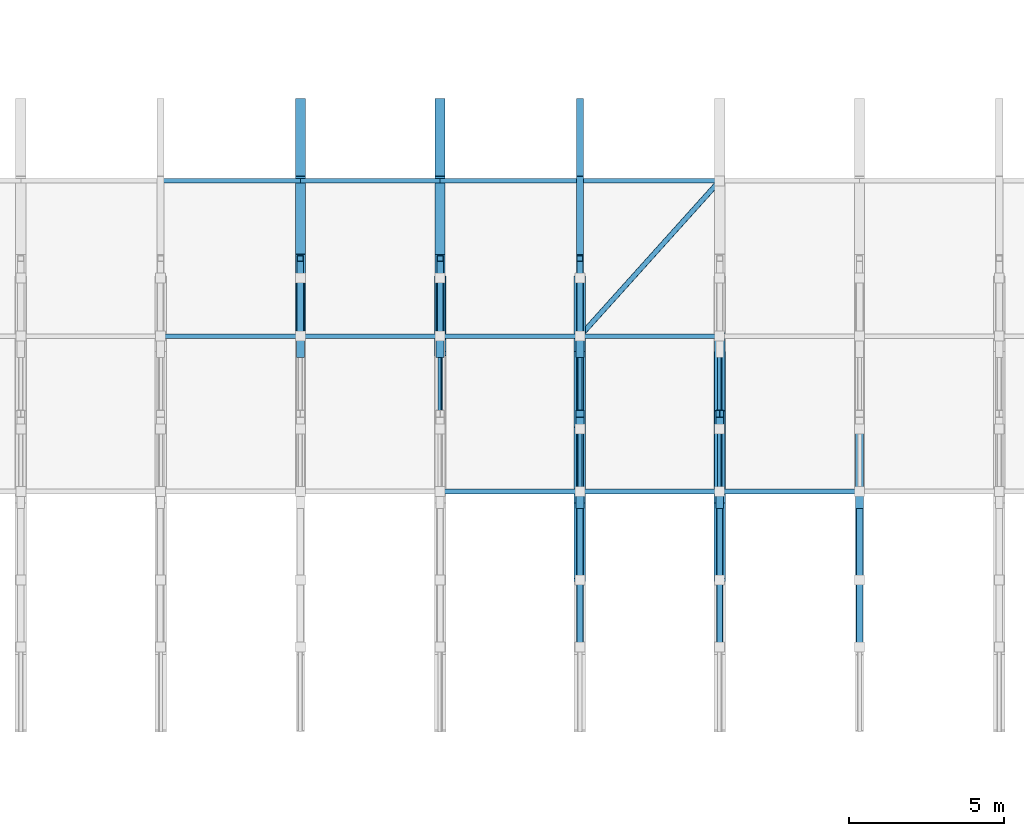
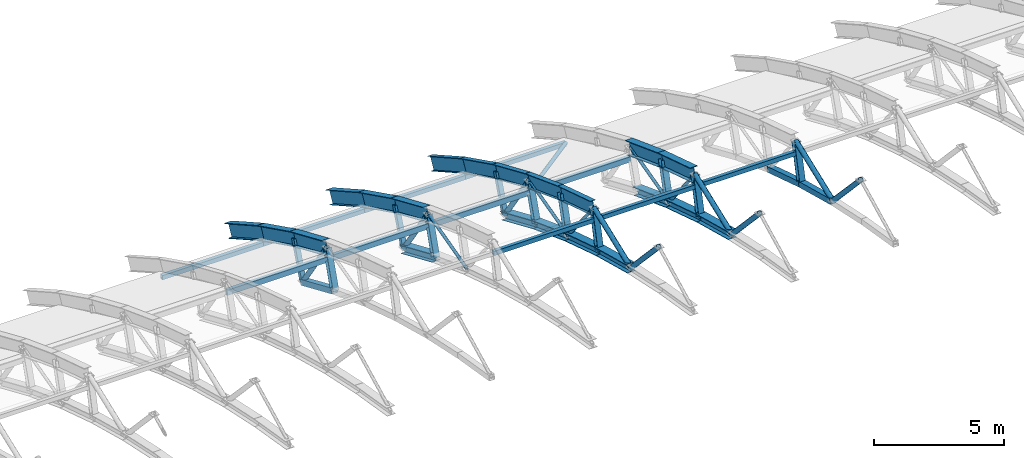
# One storey, part 47 of 103: 48 members, 13 beams.
"""IFC4 building model written with IfcOpenShell, lengths in metres."""

from ifc_helpers import new_model, si_unit, direction, frame, origin, origin_2d, place, context, subcontext, project, spatial, hollow_rectangle, hollow_circle, i_section, extrude, material, material_profile, profile_set, type_object, element, save


model = new_model("IFC4")

# Units and contexts
model_context = context("Model", 3, precision=1e-05, world=origin(), true_north=direction((0.0, 1.0)))
body_context = subcontext(model_context, "Body", "Model", "MODEL_VIEW")
ifc_project = project(units=[si_unit("LENGTHUNIT", "METRE"), si_unit("AREAUNIT", "SQUARE_METRE"), si_unit("VOLUMEUNIT", "CUBIC_METRE"), si_unit("PLANEANGLEUNIT", "RADIAN"), si_unit("MASSUNIT", "GRAM", prefix="KILO")], contexts=[model_context])

# Site, building, storey
site_placement = place(None, origin())
site = spatial("IfcSite", under=ifc_project, at=site_placement, CompositionType="ELEMENT")
building_placement = place(site_placement, origin())
building = spatial("IfcBuilding", under=site, at=building_placement, Name="Cazmaro Siding Exhibition Halls", CompositionType="ELEMENT")
storey_placement = place(building_placement, frame((0.0, 0.0, 16.5)))
storey = spatial("IfcBuildingStorey", under=building, at=storey_placement, Name="L03", CompositionType="ELEMENT", Elevation=16.5)

# Beams
ifc_material_1 = material(Name="Steel ASTM A992 Grade 50", Category="steel")
ifc_material_profile_1 = material_profile(ifc_material_1, i_section(OverallWidth=0.327880859375, OverallDepth=0.626953125, WebThickness=0.01708984375, FlangeThickness=0.028076171875, at=origin_2d()), Name="W24X146")
ifc_profile_set_1 = profile_set([ifc_material_profile_1], Name="Steel ASTM A992 Grade 50")
beam_type_1 = type_object("IfcBeamType", Name="AR-01", PredefinedType="USERDEFINED", material=ifc_profile_set_1)
beam_1_placement = place(storey_placement, frame((99.0, 114.0, 3.1220703125), z_axis=(0.0, 0.917729918626, -0.397204980405), x_axis=(-1.0, 0.0, 0.0)))
element("IfcBeam", 1, at=beam_1_placement, inside=storey, type_object=beam_type_1, Name="Space frame barrel vault arched rib AR-01 BM-0843", ObjectType="ARCHED RIB", PredefinedType="USERDEFINED", context=body_context, shape_type="SweptSolid", body=[
    extrude(i_section(OverallWidth=0.327880859375, OverallDepth=0.626953125, WebThickness=0.01708984375, FlangeThickness=0.028076171875, at=origin_2d()), origin(), (0.0, 0.0, 1.0), 2.72412109375),
])
beam_2_placement = place(storey_placement, frame((99.0, 116.5, 2.0400390625), z_axis=(0.0, 0.895996638269, -0.444060833908), x_axis=(-1.0, 0.0, 0.0)))
element("IfcBeam", 2, at=beam_2_placement, inside=storey, type_object=beam_type_1, Name="Space frame barrel vault arched rib AR-01 BM-0844", ObjectType="ARCHED RIB", PredefinedType="USERDEFINED", context=body_context, shape_type="SweptSolid", body=[
    extrude(i_section(OverallWidth=0.327880859375, OverallDepth=0.626953125, WebThickness=0.01708984375, FlangeThickness=0.028076171875, at=origin_2d()), origin(), (0.0, 0.0, 1.0), 2.790283203125),
])
beam_3_placement = place(storey_placement, frame((99.0, 119.0, 0.801025390625), z_axis=(0.0, 0.871320907359, -0.490713639916), x_axis=(-1.0, 0.0, 0.0)))
element("IfcBeam", 3, at=beam_3_placement, inside=storey, type_object=beam_type_1, Name="Space frame barrel vault arched rib AR-01 BM-0845", ObjectType="ARCHED RIB", PredefinedType="USERDEFINED", context=body_context, shape_type="SweptSolid", body=[
    extrude(i_section(OverallWidth=0.327880859375, OverallDepth=0.626953125, WebThickness=0.01708984375, FlangeThickness=0.028076171875, at=origin_2d()), origin(), (0.0, 0.0, 1.0), 2.869140625),
])
beam_4_placement = place(storey_placement, frame((112.5, 109.0, 4.85498046875), z_axis=(0.0, 0.952769241759, -0.303695195811), x_axis=(-1.0, 0.0, 0.0)))
element("IfcBeam", 4, at=beam_4_placement, inside=storey, type_object=beam_type_1, Name="Space frame barrel vault arched rib AR-01 BM-0913", ObjectType="ARCHED RIB", PredefinedType="USERDEFINED", context=body_context, shape_type="SweptSolid", body=[
    extrude(i_section(OverallWidth=0.327880859375, OverallDepth=0.626953125, WebThickness=0.01708984375, FlangeThickness=0.028076171875, at=origin_2d()), origin(), (0.0, 0.0, 1.0), 2.6240234375),
])
beam_5_placement = place(storey_placement, frame((112.5, 111.5, 4.05810546875), z_axis=(0.0, 0.936509460339, -0.350642311615), x_axis=(-1.0, 0.0, 0.0)))
element("IfcBeam", 5, at=beam_5_placement, inside=storey, type_object=beam_type_1, Name="Space frame barrel vault arched rib AR-01 BM-0914", ObjectType="ARCHED RIB", PredefinedType="USERDEFINED", context=body_context, shape_type="SweptSolid", body=[
    extrude(i_section(OverallWidth=0.327880859375, OverallDepth=0.626953125, WebThickness=0.01708984375, FlangeThickness=0.028076171875, at=origin_2d()), origin(), (0.0, 0.0, 1.0), 2.66943359375),
])
ifc_material_2 = material(Name="Steel ASTM A992 Grade 50", Category="steel")
ifc_material_profile_2 = material_profile(ifc_material_2, i_section(OverallWidth=0.324951171875, OverallDepth=0.612060546875, WebThickness=0.012939453125, FlangeThickness=0.01904296875, at=origin_2d()), Name="W24X104")
ifc_profile_set_2 = profile_set([ifc_material_profile_2], Name="Steel ASTM A992 Grade 50")
beam_type_2 = type_object("IfcBeamType", Name="AR-02", PredefinedType="USERDEFINED", material=ifc_profile_set_2)
beam_6_placement = place(storey_placement, frame((103.5, 114.0, 3.1220703125), z_axis=(0.0, 0.917729918626, -0.397204980405), x_axis=(-1.0, 0.0, 0.0)))
element("IfcBeam", 6, at=beam_6_placement, inside=storey, type_object=beam_type_2, Name="Space frame barrel vault arched rib AR-02 BM-0867", ObjectType="ARCHED RIB", PredefinedType="USERDEFINED", context=body_context, shape_type="SweptSolid", body=[
    extrude(i_section(OverallWidth=0.324951171875, OverallDepth=0.612060546875, WebThickness=0.012939453125, FlangeThickness=0.01904296875, at=origin_2d()), origin(), (0.0, 0.0, 1.0), 2.72412109375),
])
beam_7_placement = place(storey_placement, frame((103.5, 116.5, 2.0400390625), z_axis=(0.0, 0.895996638269, -0.444060833908), x_axis=(-1.0, 0.0, 0.0)))
element("IfcBeam", 7, at=beam_7_placement, inside=storey, type_object=beam_type_2, Name="Space frame barrel vault arched rib AR-02 BM-0868", ObjectType="ARCHED RIB", PredefinedType="USERDEFINED", context=body_context, shape_type="SweptSolid", body=[
    extrude(i_section(OverallWidth=0.324951171875, OverallDepth=0.612060546875, WebThickness=0.012939453125, FlangeThickness=0.01904296875, at=origin_2d()), origin(), (0.0, 0.0, 1.0), 2.790283203125),
])
beam_8_placement = place(storey_placement, frame((103.5, 119.0, 0.801025390625), z_axis=(0.0, 0.871320907359, -0.490713639916), x_axis=(-1.0, 0.0, 0.0)))
element("IfcBeam", 8, at=beam_8_placement, inside=storey, type_object=beam_type_2, Name="Space frame barrel vault arched rib AR-02 BM-0869", ObjectType="ARCHED RIB", PredefinedType="USERDEFINED", context=body_context, shape_type="SweptSolid", body=[
    extrude(i_section(OverallWidth=0.324951171875, OverallDepth=0.612060546875, WebThickness=0.012939453125, FlangeThickness=0.01904296875, at=origin_2d()), origin(), (0.0, 0.0, 1.0), 2.869140625),
])
ifc_material_3 = material(Name="Steel ASTM A992 Grade 50", Category="steel")
ifc_material_profile_3 = material_profile(ifc_material_3, i_section(OverallWidth=0.22900390625, OverallDepth=0.612060546875, WebThickness=0.011962890625, FlangeThickness=0.02001953125, at=origin_2d()), Name="W24X84")
ifc_profile_set_3 = profile_set([ifc_material_profile_3], Name="Steel ASTM A992 Grade 50")
beam_type_3 = type_object("IfcBeamType", Name="AR-03", PredefinedType="USERDEFINED", material=ifc_profile_set_3)
beam_9_placement = place(storey_placement, frame((108.0, 109.0, 4.85498046875), z_axis=(0.0, 0.952769241759, -0.303695195811), x_axis=(-1.0, 0.0, 0.0)))
element("IfcBeam", 9, at=beam_9_placement, inside=storey, type_object=beam_type_3, Name="Space frame barrel vault arched rib AR-03 BM-0889", ObjectType="ARCHED RIB", PredefinedType="USERDEFINED", context=body_context, shape_type="SweptSolid", body=[
    extrude(i_section(OverallWidth=0.22900390625, OverallDepth=0.612060546875, WebThickness=0.011962890625, FlangeThickness=0.02001953125, at=origin_2d()), origin(), (0.0, 0.0, 1.0), 2.6240234375),
])
beam_10_placement = place(storey_placement, frame((108.0, 111.5, 4.05810546875), z_axis=(0.0, 0.936509460339, -0.350642311615), x_axis=(-1.0, 0.0, 0.0)))
element("IfcBeam", 10, at=beam_10_placement, inside=storey, type_object=beam_type_3, Name="Space frame barrel vault arched rib AR-03 BM-0890", ObjectType="ARCHED RIB", PredefinedType="USERDEFINED", context=body_context, shape_type="SweptSolid", body=[
    extrude(i_section(OverallWidth=0.22900390625, OverallDepth=0.612060546875, WebThickness=0.011962890625, FlangeThickness=0.02001953125, at=origin_2d()), origin(), (0.0, 0.0, 1.0), 2.66943359375),
])
beam_11_placement = place(storey_placement, frame((108.0, 114.0, 3.1220703125), z_axis=(0.0, 0.917729918626, -0.397204980405), x_axis=(-1.0, 0.0, 0.0)))
element("IfcBeam", 11, at=beam_11_placement, inside=storey, type_object=beam_type_3, Name="Space frame barrel vault arched rib AR-03 BM-0891", ObjectType="ARCHED RIB", PredefinedType="USERDEFINED", context=body_context, shape_type="SweptSolid", body=[
    extrude(i_section(OverallWidth=0.22900390625, OverallDepth=0.612060546875, WebThickness=0.011962890625, FlangeThickness=0.02001953125, at=origin_2d()), origin(), (0.0, 0.0, 1.0), 2.72412109375),
])
beam_12_placement = place(storey_placement, frame((108.0, 116.5, 2.0400390625), z_axis=(0.0, 0.895996638269, -0.444060833908), x_axis=(-1.0, 0.0, 0.0)))
element("IfcBeam", 12, at=beam_12_placement, inside=storey, type_object=beam_type_3, Name="Space frame barrel vault arched rib AR-03 BM-0892", ObjectType="ARCHED RIB", PredefinedType="USERDEFINED", context=body_context, shape_type="SweptSolid", body=[
    extrude(i_section(OverallWidth=0.22900390625, OverallDepth=0.612060546875, WebThickness=0.011962890625, FlangeThickness=0.02001953125, at=origin_2d()), origin(), (0.0, 0.0, 1.0), 2.790283203125),
])
beam_13_placement = place(storey_placement, frame((108.0, 119.0, 0.801025390625), z_axis=(0.0, 0.871320907359, -0.490713639916), x_axis=(-1.0, 0.0, 0.0)))
element("IfcBeam", 13, at=beam_13_placement, inside=storey, type_object=beam_type_3, Name="Space frame barrel vault arched rib AR-03 BM-0893", ObjectType="ARCHED RIB", PredefinedType="USERDEFINED", context=body_context, shape_type="SweptSolid", body=[
    extrude(i_section(OverallWidth=0.22900390625, OverallDepth=0.612060546875, WebThickness=0.011962890625, FlangeThickness=0.02001953125, at=origin_2d()), origin(), (0.0, 0.0, 1.0), 2.869140625),
])

# Members
ifc_material_4 = material(Name="Steel ASTM A500 Grade C", Category="steel")
ifc_material_profile_4 = material_profile(ifc_material_4, hollow_rectangle(XDim=0.152099609375, YDim=0.202880859375, WallThickness=0.011962890625, at=origin_2d()), Name="HSS8X6X1/2")
ifc_profile_set_4 = profile_set([ifc_material_profile_4], Name="Steel ASTM A500 Grade C")
member_type_1 = type_object("IfcMemberType", Name="RP-01", PredefinedType="PURLIN", material=ifc_profile_set_4)
for number, where, z_axis, x_axis, name in (
    (14, (94.5, 119.0, 0.260986328125), (1.0, 0.0, 0.0), (0.0, 1.0, 0.0), "Space frame barrel vault purlin RP-01 MEM-2107"),
    (15, (99.0, 119.0, 0.260986328125), (1.0, 0.0, 0.0), (0.0, 1.0, 0.0), "Space frame barrel vault purlin RP-01 MEM-2118"),
    (16, (103.5, 109.0, 4.31494140625), (1.0, 0.0, 0.0), (0.0, 1.0, 0.0), "Space frame barrel vault purlin RP-01 MEM-2127"),
    (17, (103.5, 119.0, 0.260986328125), (1.0, 0.0, 0.0), (0.0, 1.0, 0.0), "Space frame barrel vault purlin RP-01 MEM-2129"),
    (18, (108.0, 109.0, 4.31494140625), (1.0, 0.0, 0.0), (0.0, 1.0, 0.0), "Space frame barrel vault purlin RP-01 MEM-2138"),
    (19, (108.0, 119.0, 0.260986328125), (1.0, 0.0, 0.0), (0.0, 1.0, 0.0), "Space frame barrel vault purlin RP-01 MEM-2140"),
    (20, (112.5, 109.0, 4.31494140625), (1.0, 0.0, 0.0), (0.0, 1.0, 0.0), "Space frame barrel vault purlin RP-01 MEM-2155"),
):
    element("IfcMember", number, at=place(storey_placement, frame(where, z_axis=z_axis, x_axis=x_axis)), inside=storey, type_object=member_type_1, Name=name, PredefinedType="PURLIN", context=body_context, shape_type="SweptSolid", body=[
        extrude(hollow_rectangle(XDim=0.152099609375, YDim=0.202880859375, WallThickness=0.011962890625, at=origin_2d()), origin(), (0.0, 0.0, 1.0), 4.5),
    ])
ifc_material_5 = material(Name="Steel ASTM A500 Grade C", Category="steel")
ifc_material_profile_5 = material_profile(ifc_material_5, hollow_rectangle(XDim=0.152099609375, YDim=0.25390625, WallThickness=0.011962890625, at=origin_2d()), Name="HSS10X6X1/2")
ifc_profile_set_5 = profile_set([ifc_material_profile_5], Name="Steel ASTM A500 Grade C")
member_type_2 = type_object("IfcMemberType", Name="RP-04", PredefinedType="PURLIN", material=ifc_profile_set_5)
for number, where, z_axis, x_axis, name in (
    (21, (94.5, 114.0, 2.58203125), (1.0, 0.0, 0.0), (0.0, 1.0, 0.0), "Space frame barrel vault purlin RP-04 MEM-2106"),
    (22, (99.0, 114.0, 2.58203125), (1.0, 0.0, 0.0), (0.0, 1.0, 0.0), "Space frame barrel vault purlin RP-04 MEM-2117"),
    (23, (103.5, 114.0, 2.58203125), (1.0, 0.0, 0.0), (0.0, 1.0, 0.0), "Space frame barrel vault purlin RP-04 MEM-2128"),
    (24, (108.0, 114.0, 2.58203125), (1.0, 0.0, 0.0), (0.0, 1.0, 0.0), "Space frame barrel vault purlin RP-04 MEM-2139"),
):
    element("IfcMember", number, at=place(storey_placement, frame(where, z_axis=z_axis, x_axis=x_axis)), inside=storey, type_object=member_type_2, Name=name, PredefinedType="PURLIN", context=body_context, shape_type="SweptSolid", body=[
        extrude(hollow_rectangle(XDim=0.152099609375, YDim=0.25390625, WallThickness=0.011962890625, at=origin_2d()), origin(), (0.0, 0.0, 1.0), 4.5),
    ])
ifc_material_6 = material(Name="Steel ASTM A500 Grade C", Category="steel")
ifc_material_profile_6 = material_profile(ifc_material_6, hollow_rectangle(XDim=0.25390625, YDim=0.25390625, WallThickness=0.014892578125, at=origin_2d()), Name="HSS10X10X5/8")
ifc_profile_set_6 = profile_set([ifc_material_profile_6], Name="Steel ASTM A500 Grade C")
member_type_3 = type_object("IfcMemberType", Name="TC-01", PredefinedType="CHORD", material=ifc_profile_set_6)
member_1_placement = place(storey_placement, frame((99.0, 113.43896484375, 1.430908203125), z_axis=(0.0, 0.917689003843, -0.397299499403), x_axis=(-1.0, 0.0, 0.0)))
element("IfcMember", 25, at=member_1_placement, inside=storey, type_object=member_type_3, Name="Space frame barrel vault bottom chord TC-01 MEM-0845", PredefinedType="CHORD", context=body_context, shape_type="SweptSolid", body=[
    extrude(hollow_rectangle(XDim=0.25390625, YDim=0.25390625, WallThickness=0.014892578125, at=origin_2d()), origin(), (0.0, 0.0, 1.0), 2.64794921875),
])
member_2_placement = place(storey_placement, frame((117.0, 106.14990234375, 3.760986328125), z_axis=(0.0, 0.966437683387, -0.256901156343), x_axis=(-1.0, 0.0, 0.0)))
element("IfcMember", 26, at=member_2_placement, inside=storey, type_object=member_type_3, Name="Space frame barrel vault bottom chord TC-01 MEM-1123", PredefinedType="CHORD", context=body_context, shape_type="SweptSolid", body=[
    extrude(hollow_rectangle(XDim=0.25390625, YDim=0.25390625, WallThickness=0.014892578125, at=origin_2d()), origin(), (0.0, 0.0, 1.0), 2.5146484375),
])
member_3_placement = place(storey_placement, frame((117.0, 108.580078125, 3.114990234375), z_axis=(0.0, 0.952692842525, -0.303934775573), x_axis=(-1.0, 0.0, 0.0)))
element("IfcMember", 27, at=member_3_placement, inside=storey, type_object=member_type_3, Name="Space frame barrel vault bottom chord TC-01 MEM-1125", PredefinedType="CHORD", context=body_context, shape_type="SweptSolid", body=[
    extrude(hollow_rectangle(XDim=0.25390625, YDim=0.25390625, WallThickness=0.014892578125, at=origin_2d()), origin(), (0.0, 0.0, 1.0), 2.549560546875),
])
ifc_material_7 = material(Name="Steel ASTM A992 Grade 50", Category="steel")
ifc_material_profile_7 = material_profile(ifc_material_7, i_section(OverallWidth=0.37109375, OverallDepth=0.364013671875, WebThickness=0.012939453125, FlangeThickness=0.02197265625, at=origin_2d()), Name="W14X109")
ifc_profile_set_7 = profile_set([ifc_material_profile_7], Name="Steel ASTM A992 Grade 50")
member_type_4 = type_object("IfcMemberType", Name="TC-06", PredefinedType="CHORD", material=ifc_profile_set_7)
member_4_placement = place(storey_placement, frame((103.5, 113.43896484375, 1.430908203125), z_axis=(0.0, 0.917689003843, -0.397299499403), x_axis=(-1.0, 0.0, 0.0)))
element("IfcMember", 28, at=member_4_placement, inside=storey, type_object=member_type_4, Name="Space frame barrel vault bottom chord TC-06 MEM-0916", PredefinedType="CHORD", context=body_context, shape_type="SweptSolid", body=[
    extrude(i_section(OverallWidth=0.37109375, OverallDepth=0.364013671875, WebThickness=0.012939453125, FlangeThickness=0.02197265625, at=origin_2d()), origin(), (0.0, 0.0, 1.0), 2.64794921875),
])
member_5_placement = place(storey_placement, frame((108.0, 106.14990234375, 3.760986328125), z_axis=(0.0, 0.966437683387, -0.256901156343), x_axis=(-1.0, 0.0, 0.0)))
element("IfcMember", 29, at=member_5_placement, inside=storey, type_object=member_type_4, Name="Space frame barrel vault bottom chord TC-06 MEM-0981", PredefinedType="CHORD", context=body_context, shape_type="SweptSolid", body=[
    extrude(i_section(OverallWidth=0.37109375, OverallDepth=0.364013671875, WebThickness=0.012939453125, FlangeThickness=0.02197265625, at=origin_2d()), origin(), (0.0, 0.0, 1.0), 2.5146484375),
])
member_6_placement = place(storey_placement, frame((108.0, 108.580078125, 3.114990234375), z_axis=(0.0, 0.952692842525, -0.303934775573), x_axis=(-1.0, 0.0, 0.0)))
element("IfcMember", 30, at=member_6_placement, inside=storey, type_object=member_type_4, Name="Space frame barrel vault bottom chord TC-06 MEM-0983", PredefinedType="CHORD", context=body_context, shape_type="SweptSolid", body=[
    extrude(i_section(OverallWidth=0.37109375, OverallDepth=0.364013671875, WebThickness=0.012939453125, FlangeThickness=0.02197265625, at=origin_2d()), origin(), (0.0, 0.0, 1.0), 2.549560546875),
])
member_7_placement = place(storey_placement, frame((108.0, 111.009033203125, 2.340087890625), z_axis=(0.0, 0.936588022869, -0.350432412053), x_axis=(-1.0, 0.0, 0.0)))
element("IfcMember", 31, at=member_7_placement, inside=storey, type_object=member_type_4, Name="Space frame barrel vault bottom chord TC-06 MEM-0985", PredefinedType="CHORD", context=body_context, shape_type="SweptSolid", body=[
    extrude(i_section(OverallWidth=0.37109375, OverallDepth=0.364013671875, WebThickness=0.012939453125, FlangeThickness=0.02197265625, at=origin_2d()), origin(), (0.0, 0.0, 1.0), 2.594482421875),
])
member_8_placement = place(storey_placement, frame((108.0, 113.43896484375, 1.430908203125), z_axis=(0.0, 0.917689003843, -0.397299499403), x_axis=(-1.0, 0.0, 0.0)))
element("IfcMember", 32, at=member_8_placement, inside=storey, type_object=member_type_4, Name="Space frame barrel vault bottom chord TC-06 MEM-0987", PredefinedType="CHORD", context=body_context, shape_type="SweptSolid", body=[
    extrude(i_section(OverallWidth=0.37109375, OverallDepth=0.364013671875, WebThickness=0.012939453125, FlangeThickness=0.02197265625, at=origin_2d()), origin(), (0.0, 0.0, 1.0), 2.64794921875),
])
member_9_placement = place(storey_placement, frame((112.5, 106.14990234375, 3.760986328125), z_axis=(0.0, 0.966437683387, -0.256901156343), x_axis=(-1.0, 0.0, 0.0)))
element("IfcMember", 33, at=member_9_placement, inside=storey, type_object=member_type_4, Name="Space frame barrel vault bottom chord TC-06 MEM-1052", PredefinedType="CHORD", context=body_context, shape_type="SweptSolid", body=[
    extrude(i_section(OverallWidth=0.37109375, OverallDepth=0.364013671875, WebThickness=0.012939453125, FlangeThickness=0.02197265625, at=origin_2d()), origin(), (0.0, 0.0, 1.0), 2.5146484375),
])
member_10_placement = place(storey_placement, frame((112.5, 108.580078125, 3.114990234375), z_axis=(0.0, 0.952692842525, -0.303934775573), x_axis=(-1.0, 0.0, 0.0)))
element("IfcMember", 34, at=member_10_placement, inside=storey, type_object=member_type_4, Name="Space frame barrel vault bottom chord TC-06 MEM-1054", PredefinedType="CHORD", context=body_context, shape_type="SweptSolid", body=[
    extrude(i_section(OverallWidth=0.37109375, OverallDepth=0.364013671875, WebThickness=0.012939453125, FlangeThickness=0.02197265625, at=origin_2d()), origin(), (0.0, 0.0, 1.0), 2.549560546875),
])
member_11_placement = place(storey_placement, frame((112.5, 111.009033203125, 2.340087890625), z_axis=(0.0, 0.936588022869, -0.350432412053), x_axis=(-1.0, 0.0, 0.0)))
element("IfcMember", 35, at=member_11_placement, inside=storey, type_object=member_type_4, Name="Space frame barrel vault bottom chord TC-06 MEM-1056", PredefinedType="CHORD", context=body_context, shape_type="SweptSolid", body=[
    extrude(i_section(OverallWidth=0.37109375, OverallDepth=0.364013671875, WebThickness=0.012939453125, FlangeThickness=0.02197265625, at=origin_2d()), origin(), (0.0, 0.0, 1.0), 2.594482421875),
])
ifc_material_8 = material(Name="Steel ASTM A500 Grade C", Category="steel")
ifc_material_profile_8 = material_profile(ifc_material_8, hollow_rectangle(XDim=0.202880859375, YDim=0.202880859375, WallThickness=0.011962890625, at=origin_2d()), Name="HSS8X8X1/2")
ifc_profile_set_8 = profile_set([ifc_material_profile_8], Name="Steel ASTM A500 Grade C")
member_type_5 = type_object("IfcMemberType", Name="TP-01", PredefinedType="POST", material=ifc_profile_set_8)
for number, where, z_axis, x_axis, name in (
    (36, (99.0, 115.868896484375, 0.37890625), (0.0, 0.355155331276, 0.934807301355), (-1.0, 0.0, 0.0), "Space frame barrel vault post TP-01 MEM-0873"),
    (37, (103.5, 115.868896484375, 0.37890625), (0.0, 0.355155331276, 0.934807301355), (-1.0, 0.0, 0.0), "Space frame barrel vault post TP-01 MEM-0944"),
    (38, (108.0, 115.868896484375, 0.37890625), (0.0, 0.355155331276, 0.934807301355), (-1.0, 0.0, 0.0), "Space frame barrel vault post TP-01 MEM-1015"),
):
    element("IfcMember", number, at=place(storey_placement, frame(where, z_axis=z_axis, x_axis=x_axis)), inside=storey, type_object=member_type_5, Name=name, PredefinedType="POST", context=body_context, shape_type="SweptSolid", body=[
        extrude(hollow_rectangle(XDim=0.202880859375, YDim=0.202880859375, WallThickness=0.011962890625, at=origin_2d()), origin(), (0.0, 0.0, 1.0), 1.777099609375),
    ])
ifc_material_9 = material(Name="Steel ASTM A992 Grade 50", Category="steel")
ifc_material_profile_9 = material_profile(ifc_material_9, i_section(OverallWidth=0.25390625, OverallDepth=0.25390625, WebThickness=0.009033203125, FlangeThickness=0.013916015625, at=origin_2d()), Name="W10X49")
ifc_profile_set_9 = profile_set([ifc_material_profile_9], Name="Steel ASTM A992 Grade 50")
member_type_6 = type_object("IfcMemberType", Name="TP-04", PredefinedType="POST", material=ifc_profile_set_9)
for number, where, z_axis, x_axis, name in (
    (39, (99.0, 113.43896484375, 1.430908203125), (0.0, 0.314870949103, 0.949134492794), (-1.0, 0.0, 0.0), "Space frame barrel vault post TP-04 MEM-0872"),
    (40, (103.5, 113.43896484375, 1.430908203125), (0.0, 0.314870949103, 0.949134492794), (-1.0, 0.0, 0.0), "Space frame barrel vault post TP-04 MEM-0943"),
):
    element("IfcMember", number, at=place(storey_placement, frame(where, z_axis=z_axis, x_axis=x_axis)), inside=storey, type_object=member_type_6, Name=name, PredefinedType="POST", context=body_context, shape_type="SweptSolid", body=[
        extrude(i_section(OverallWidth=0.25390625, OverallDepth=0.25390625, WebThickness=0.009033203125, FlangeThickness=0.013916015625, at=origin_2d()), origin(), (0.0, 0.0, 1.0), 1.78173828125),
    ])
member_12_placement = place(storey_placement, frame((108.0, 108.580078125, 3.114990234375), z_axis=(0.0, 0.234600533729, 0.972091862724), x_axis=(-1.0, 0.0, 0.0)))
element("IfcMember", 41, at=member_12_placement, inside=storey, type_object=member_type_6, Name="Space frame barrel vault post TP-04 MEM-1012", PredefinedType="POST", context=body_context, shape_type="SweptSolid", body=[
    extrude(i_section(OverallWidth=0.25390625, OverallDepth=0.25390625, WebThickness=0.009033203125, FlangeThickness=0.013916015625, at=origin_2d()), origin(), (0.0, 0.0, 1.0), 1.7900390625),
])
member_13_placement = place(storey_placement, frame((108.0, 111.009033203125, 2.340087890625), z_axis=(0.0, 0.274775266308, 0.961508477875), x_axis=(-1.0, 0.0, 0.0)))
element("IfcMember", 42, at=member_13_placement, inside=storey, type_object=member_type_6, Name="Space frame barrel vault post TP-04 MEM-1013", PredefinedType="POST", context=body_context, shape_type="SweptSolid", body=[
    extrude(i_section(OverallWidth=0.25390625, OverallDepth=0.25390625, WebThickness=0.009033203125, FlangeThickness=0.013916015625, at=origin_2d()), origin(), (0.0, 0.0, 1.0), 1.786865234375),
])
member_14_placement = place(storey_placement, frame((108.0, 113.43896484375, 1.430908203125), z_axis=(0.0, 0.314870949103, 0.949134492794), x_axis=(-1.0, 0.0, 0.0)))
element("IfcMember", 43, at=member_14_placement, inside=storey, type_object=member_type_6, Name="Space frame barrel vault post TP-04 MEM-1014", PredefinedType="POST", context=body_context, shape_type="SweptSolid", body=[
    extrude(i_section(OverallWidth=0.25390625, OverallDepth=0.25390625, WebThickness=0.009033203125, FlangeThickness=0.013916015625, at=origin_2d()), origin(), (0.0, 0.0, 1.0), 1.78173828125),
])
member_15_placement = place(storey_placement, frame((112.5, 108.580078125, 3.114990234375), z_axis=(0.0, 0.234600533729, 0.972091862724), x_axis=(-1.0, 0.0, 0.0)))
element("IfcMember", 44, at=member_15_placement, inside=storey, type_object=member_type_6, Name="Space frame barrel vault post TP-04 MEM-1083", PredefinedType="POST", context=body_context, shape_type="SweptSolid", body=[
    extrude(i_section(OverallWidth=0.25390625, OverallDepth=0.25390625, WebThickness=0.009033203125, FlangeThickness=0.013916015625, at=origin_2d()), origin(), (0.0, 0.0, 1.0), 1.7900390625),
])
member_16_placement = place(storey_placement, frame((112.5, 111.009033203125, 2.340087890625), z_axis=(0.0, 0.274775266308, 0.961508477875), x_axis=(-1.0, 0.0, 0.0)))
element("IfcMember", 45, at=member_16_placement, inside=storey, type_object=member_type_6, Name="Space frame barrel vault post TP-04 MEM-1084", PredefinedType="POST", context=body_context, shape_type="SweptSolid", body=[
    extrude(i_section(OverallWidth=0.25390625, OverallDepth=0.25390625, WebThickness=0.009033203125, FlangeThickness=0.013916015625, at=origin_2d()), origin(), (0.0, 0.0, 1.0), 1.786865234375),
])
member_17_placement = place(storey_placement, frame((117.0, 108.580078125, 3.114990234375), z_axis=(0.0, 0.234600533729, 0.972091862724), x_axis=(-1.0, 0.0, 0.0)))
element("IfcMember", 46, at=member_17_placement, inside=storey, type_object=member_type_6, Name="Space frame barrel vault post TP-04 MEM-1154", PredefinedType="POST", context=body_context, shape_type="SweptSolid", body=[
    extrude(i_section(OverallWidth=0.25390625, OverallDepth=0.25390625, WebThickness=0.009033203125, FlangeThickness=0.013916015625, at=origin_2d()), origin(), (0.0, 0.0, 1.0), 1.7900390625),
])
ifc_material_10 = material(Name="Steel ASTM A500 Grade C", Category="steel")
ifc_material_profile_10 = material_profile(ifc_material_10, hollow_circle(Radius=0.109619140625, WallThickness=0.012939453125, at=origin_2d()), Name="PIPE8XS")
ifc_profile_set_10 = profile_set([ifc_material_profile_10], Name="Steel ASTM A500 Grade C")
member_type_7 = type_object("IfcMemberType", Name="WB-01", PredefinedType="BRACE", material=ifc_profile_set_10)
for number, where, z_axis, x_axis, name in (
    (47, (99.0, 114.0, 3.1220703125), (0.0, 0.563040090795, -0.826429583302), (-1.0, 0.0, 0.0), "Space frame barrel vault diagonal WB-01 MEM-0846"),
    (48, (103.5, 114.0, 3.1220703125), (0.0, 0.563040090795, -0.826429583302), (-1.0, 0.0, 0.0), "Space frame barrel vault diagonal WB-01 MEM-0917"),
):
    element("IfcMember", number, at=place(storey_placement, frame(where, z_axis=z_axis, x_axis=x_axis)), inside=storey, type_object=member_type_7, Name=name, PredefinedType="BRACE", context=body_context, shape_type="SweptSolid", body=[
        extrude(hollow_circle(Radius=0.109619140625, WallThickness=0.012939453125, at=origin_2d()), origin(), (0.0, 0.0, 1.0), 3.3193359375),
    ])
member_18_placement = place(storey_placement, frame((108.0, 104.0, 6.056884765625), z_axis=(0.0, 0.683517575744, -0.729934054315), x_axis=(-1.0, 0.0, 0.0)))
element("IfcMember", 49, at=member_18_placement, inside=storey, type_object=member_type_7, Name="Space frame barrel vault diagonal WB-01 MEM-0980", PredefinedType="BRACE", context=body_context, shape_type="SweptSolid", body=[
    extrude(hollow_circle(Radius=0.109619140625, WallThickness=0.012939453125, at=origin_2d()), origin(), (0.0, 0.0, 1.0), 3.145263671875),
])
member_19_placement = place(storey_placement, frame((108.0, 106.14990234375, 3.760986328125), z_axis=(0.0, 0.933586546586, 0.358352005761), x_axis=(-1.0, 0.0, 0.0)))
element("IfcMember", 50, at=member_19_placement, inside=storey, type_object=member_type_7, Name="Space frame barrel vault diagonal WB-01 MEM-0982", PredefinedType="BRACE", context=body_context, shape_type="SweptSolid", body=[
    extrude(hollow_circle(Radius=0.109619140625, WallThickness=0.012939453125, at=origin_2d()), origin(), (0.0, 0.0, 1.0), 3.052734375),
])
member_20_placement = place(storey_placement, frame((108.0, 114.0, 3.1220703125), z_axis=(0.0, 0.563040090795, -0.826429583302), x_axis=(-1.0, 0.0, 0.0)))
element("IfcMember", 51, at=member_20_placement, inside=storey, type_object=member_type_7, Name="Space frame barrel vault diagonal WB-01 MEM-0988", PredefinedType="BRACE", context=body_context, shape_type="SweptSolid", body=[
    extrude(hollow_circle(Radius=0.109619140625, WallThickness=0.012939453125, at=origin_2d()), origin(), (0.0, 0.0, 1.0), 3.3193359375),
])
member_21_placement = place(storey_placement, frame((112.5, 104.0, 6.056884765625), z_axis=(0.0, 0.683517575744, -0.729934054315), x_axis=(-1.0, 0.0, 0.0)))
element("IfcMember", 52, at=member_21_placement, inside=storey, type_object=member_type_7, Name="Space frame barrel vault diagonal WB-01 MEM-1051", PredefinedType="BRACE", context=body_context, shape_type="SweptSolid", body=[
    extrude(hollow_circle(Radius=0.109619140625, WallThickness=0.012939453125, at=origin_2d()), origin(), (0.0, 0.0, 1.0), 3.145263671875),
])
member_22_placement = place(storey_placement, frame((112.5, 106.14990234375, 3.760986328125), z_axis=(0.0, 0.933586546586, 0.358352005761), x_axis=(-1.0, 0.0, 0.0)))
element("IfcMember", 53, at=member_22_placement, inside=storey, type_object=member_type_7, Name="Space frame barrel vault diagonal WB-01 MEM-1053", PredefinedType="BRACE", context=body_context, shape_type="SweptSolid", body=[
    extrude(hollow_circle(Radius=0.109619140625, WallThickness=0.012939453125, at=origin_2d()), origin(), (0.0, 0.0, 1.0), 3.052734375),
])
member_23_placement = place(storey_placement, frame((117.0, 104.0, 6.056884765625), z_axis=(0.0, 0.683517575744, -0.729934054315), x_axis=(-1.0, 0.0, 0.0)))
element("IfcMember", 54, at=member_23_placement, inside=storey, type_object=member_type_7, Name="Space frame barrel vault diagonal WB-01 MEM-1122", PredefinedType="BRACE", context=body_context, shape_type="SweptSolid", body=[
    extrude(hollow_circle(Radius=0.109619140625, WallThickness=0.012939453125, at=origin_2d()), origin(), (0.0, 0.0, 1.0), 3.145263671875),
])
member_24_placement = place(storey_placement, frame((117.0, 106.14990234375, 3.760986328125), z_axis=(0.0, 0.933586546586, 0.358352005761), x_axis=(-1.0, 0.0, 0.0)))
element("IfcMember", 55, at=member_24_placement, inside=storey, type_object=member_type_7, Name="Space frame barrel vault diagonal WB-01 MEM-1124", PredefinedType="BRACE", context=body_context, shape_type="SweptSolid", body=[
    extrude(hollow_circle(Radius=0.109619140625, WallThickness=0.012939453125, at=origin_2d()), origin(), (0.0, 0.0, 1.0), 3.052734375),
])
ifc_material_11 = material(Name="Steel ASTM A500 Grade C", Category="steel")
ifc_material_profile_11 = material_profile(ifc_material_11, hollow_circle(Radius=0.083984375, WallThickness=0.01806640625, at=origin_2d()), Name="PIPE6XXS")
ifc_profile_set_11 = profile_set([ifc_material_profile_11], Name="Steel ASTM A500 Grade C")
member_type_8 = type_object("IfcMemberType", Name="WB-05", PredefinedType="BRACE", material=ifc_profile_set_11)
member_25_placement = place(storey_placement, frame((108.0, 114.0, 2.58203125), z_axis=(0.632379029545, 0.702643366161, -0.326173363384), x_axis=(-0.743294146247, 0.668964731622, 0.0)))
element("IfcMember", 56, at=member_25_placement, inside=storey, type_object=member_type_8, Name="Space frame barrel vault wind brace WB-05 MEM-2144", PredefinedType="BRACE", context=body_context, shape_type="SweptSolid", body=[
    extrude(hollow_circle(Radius=0.083984375, WallThickness=0.01806640625, at=origin_2d()), origin(), (0.0, 0.0, 1.0), 7.115966796875),
])
ifc_material_12 = material(Name="Steel ASTM A500 Grade C", Category="steel")
ifc_material_profile_12 = material_profile(ifc_material_12, hollow_circle(Radius=0.070556640625, WallThickness=0.01904296875, at=origin_2d()), Name="PIPE5XXS")
ifc_profile_set_12 = profile_set([ifc_material_profile_12], Name="Steel ASTM A500 Grade C")
member_type_9 = type_object("IfcMemberType", Name="WB-07", PredefinedType="BRACE", material=ifc_profile_set_12)
member_26_placement = place(storey_placement, frame((103.5, 111.009033203125, 2.340087890625), z_axis=(0.0, 0.967480432857, 0.252945867802), x_axis=(-1.0, 0.0, 0.0)))
element("IfcMember", 57, at=member_26_placement, inside=storey, type_object=member_type_9, Name="Space frame barrel vault diagonal WB-07 MEM-0915", PredefinedType="BRACE", context=body_context, shape_type="SweptSolid", body=[
    extrude(hollow_circle(Radius=0.070556640625, WallThickness=0.01904296875, at=origin_2d()), origin(), (0.0, 0.0, 1.0), 3.091552734375),
])
member_27_placement = place(storey_placement, frame((108.0, 109.0, 4.85498046875), z_axis=(0.0, 0.624149162907, -0.781305204412), x_axis=(-1.0, 0.0, 0.0)))
element("IfcMember", 58, at=member_27_placement, inside=storey, type_object=member_type_9, Name="Space frame barrel vault diagonal WB-07 MEM-0984", PredefinedType="BRACE", context=body_context, shape_type="SweptSolid", body=[
    extrude(hollow_circle(Radius=0.070556640625, WallThickness=0.01904296875, at=origin_2d()), origin(), (0.0, 0.0, 1.0), 3.21875),
])
member_28_placement = place(storey_placement, frame((108.0, 111.009033203125, 2.340087890625), z_axis=(0.0, 0.967480432857, 0.252945867802), x_axis=(-1.0, 0.0, 0.0)))
element("IfcMember", 59, at=member_28_placement, inside=storey, type_object=member_type_9, Name="Space frame barrel vault diagonal WB-07 MEM-0986", PredefinedType="BRACE", context=body_context, shape_type="SweptSolid", body=[
    extrude(hollow_circle(Radius=0.070556640625, WallThickness=0.01904296875, at=origin_2d()), origin(), (0.0, 0.0, 1.0), 3.091552734375),
])
member_29_placement = place(storey_placement, frame((112.5, 109.0, 4.85498046875), z_axis=(0.0, 0.624149162907, -0.781305204412), x_axis=(-1.0, 0.0, 0.0)))
element("IfcMember", 60, at=member_29_placement, inside=storey, type_object=member_type_9, Name="Space frame barrel vault diagonal WB-07 MEM-1055", PredefinedType="BRACE", context=body_context, shape_type="SweptSolid", body=[
    extrude(hollow_circle(Radius=0.070556640625, WallThickness=0.01904296875, at=origin_2d()), origin(), (0.0, 0.0, 1.0), 3.21875),
])
member_30_placement = place(storey_placement, frame((112.5, 111.009033203125, 2.340087890625), z_axis=(0.0, 0.967480432857, 0.252945867802), x_axis=(-1.0, 0.0, 0.0)))
element("IfcMember", 61, at=member_30_placement, inside=storey, type_object=member_type_9, Name="Space frame barrel vault diagonal WB-07 MEM-1057", PredefinedType="BRACE", context=body_context, shape_type="SweptSolid", body=[
    extrude(hollow_circle(Radius=0.070556640625, WallThickness=0.01904296875, at=origin_2d()), origin(), (0.0, 0.0, 1.0), 3.091552734375),
])

save(model, "model.ifc")
